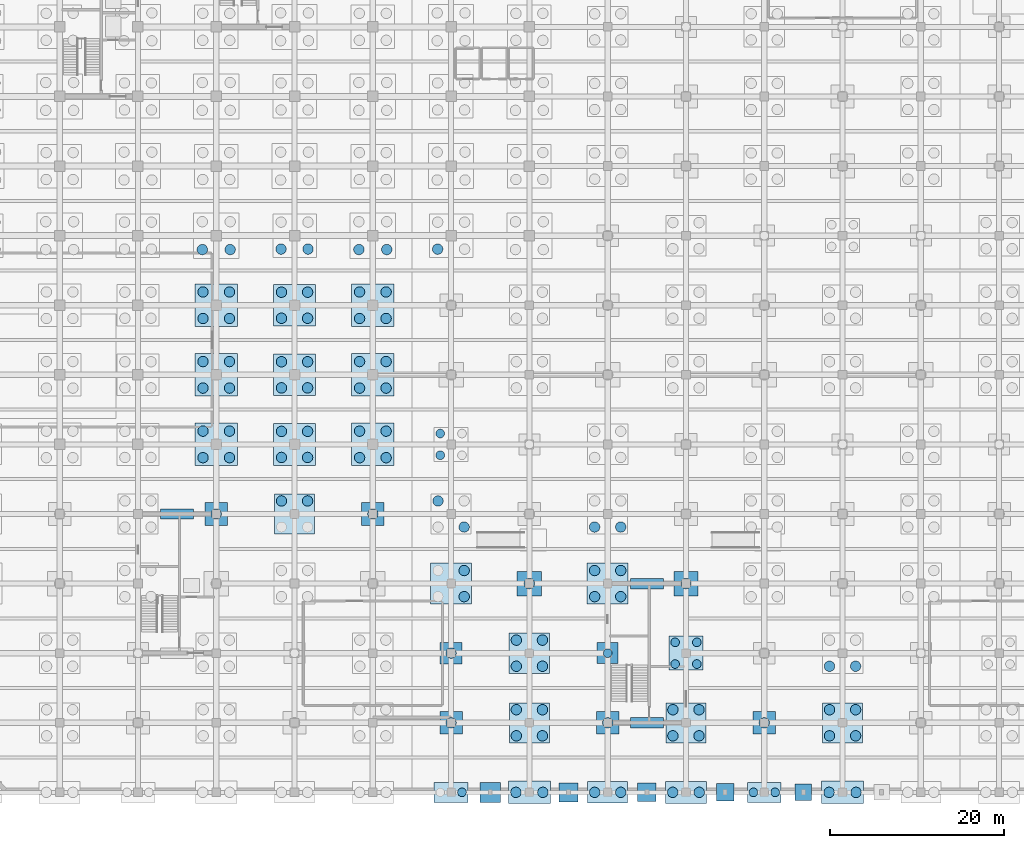
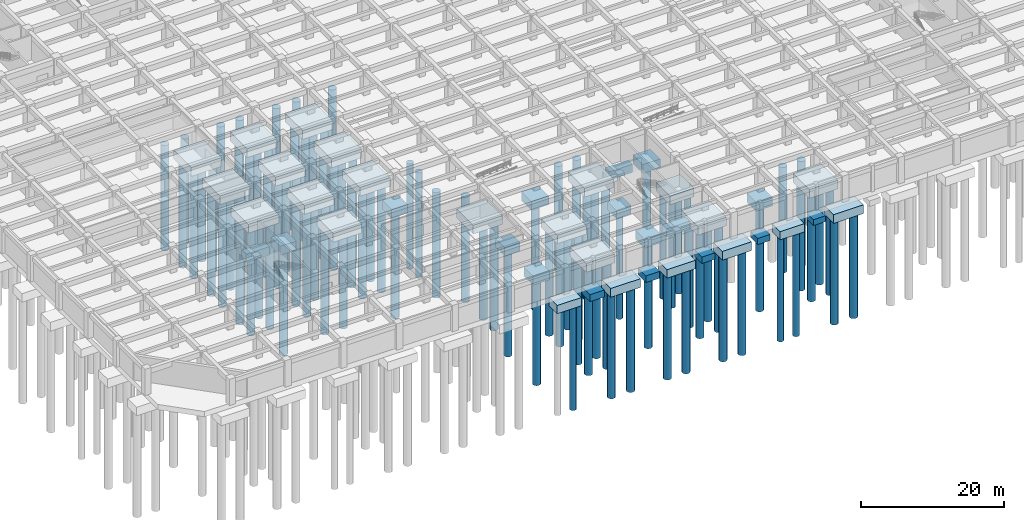
# One storey, part 2 of 31: 99 piles, 40 footings.
"""IFC4 building model written with IfcOpenShell, lengths in metres."""

from ifc_helpers import new_model, si_unit, direction, frame, origin, origin_2d, place, context, subcontext, project, spatial, polyline, rectangle, circle, outline, extrude, material, layer, layer_set, material_profile, profile_set, type_object, element, save


model = new_model("IFC4")

# Units and contexts
model_context = context("Model", 3, precision=1e-05, world=origin(), true_north=direction((0.0, 1.0)))
body_context = subcontext(model_context, "Body", "Model", "MODEL_VIEW")
ifc_project = project(units=[si_unit("LENGTHUNIT", "METRE"), si_unit("AREAUNIT", "SQUARE_METRE"), si_unit("VOLUMEUNIT", "CUBIC_METRE"), si_unit("PLANEANGLEUNIT", "RADIAN"), si_unit("MASSUNIT", "GRAM", prefix="KILO")], contexts=[model_context])

# Site, building, storey
site_placement = place(None, origin())
site = spatial("IfcSite", under=ifc_project, at=site_placement, CompositionType="ELEMENT")
building_placement = place(site_placement, origin())
building = spatial("IfcBuilding", under=site, at=building_placement, Name="Zaverband Oceanarium and Marine Research Institute", CompositionType="ELEMENT")
storey_placement = place(building_placement, frame((0.0, 0.0, -9.0)))
storey = spatial("IfcBuildingStorey", under=building, at=storey_placement, Name="B2", CompositionType="ELEMENT", Elevation=-9.0)

# Footings
ifc_material_1 = material(Name="Concrete C50/60", Category="concrete")
ifc_layer_1 = layer(ifc_material_1, 1.39990234375, Name="Concrete C50/60")
ifc_layer_set_1 = layer_set([ifc_layer_1], Name="Concrete C50/60")
footing_type_1 = type_object("IfcFootingType", Name="PC-2400x2400x1400", PredefinedType="PILE_CAP", material=ifc_layer_set_1)
footing_1_placement = place(storey_placement, frame((81.0, 16.0, -2.300048828125), z_axis=(0.0, 0.0, 1.0), x_axis=(1.0, 0.0, 0.0)))
element("IfcFooting", 1, at=footing_1_placement, inside=storey, type_object=footing_type_1, Name="Reinforced concrete pile cap PC-2400x2400x1400", PredefinedType="PILE_CAP", context=body_context, shape_type="SweptSolid", body=[
    extrude(rectangle(XDim=2.39990234375, YDim=2.39990234375, at=origin_2d()), origin(), (0.0, 0.0, 1.0), 1.39990234375),
])
ifc_layer_2 = layer(ifc_material_1, 1.449951171875, Name="Concrete C50/60")
ifc_layer_set_2 = layer_set([ifc_layer_2], Name="Concrete C50/60")
footing_type_2 = type_object("IfcFootingType", Name="PC-2500x2500x1450", PredefinedType="PILE_CAP", material=ifc_layer_set_2)
footing_2_placement = place(storey_placement, frame((63.0, 16.0, -2.35009765625), z_axis=(0.0, 0.0, 1.0), x_axis=(1.0, 0.0, 0.0)))
element("IfcFooting", 2, at=footing_2_placement, inside=storey, type_object=footing_type_2, Name="Reinforced concrete pile cap PC-2500x2500x1450", PredefinedType="PILE_CAP", context=body_context, shape_type="SweptSolid", body=[
    extrude(rectangle(XDim=2.5, YDim=2.5, at=origin_2d()), origin(), (0.0, 0.0, 1.0), 1.449951171875),
])
ifc_layer_3 = layer(ifc_material_1, 1.5, Name="Concrete C50/60")
ifc_layer_set_3 = layer_set([ifc_layer_3], Name="Concrete C50/60")
footing_type_3 = type_object("IfcFootingType", Name="PC-2600x2600x1500", PredefinedType="PILE_CAP", material=ifc_layer_set_3)
for number, where, z_axis, x_axis, name in (
    (3, (36.0, 32.0, -2.39990234375), (0.0, 0.0, 1.0), (1.0, 0.0, 0.0), "Reinforced concrete pile cap PC-2600x2600x1500"),
    (4, (54.0, 32.0, -2.39990234375), (0.0, 0.0, 1.0), (1.0, 0.0, 0.0), "Reinforced concrete pile cap PC-2600x2600x1500"),
    (5, (63.0, 8.0, -2.39990234375), (0.0, 0.0, 1.0), (1.0, 0.0, 0.0), "Reinforced concrete pile cap PC-2600x2600x1500"),
    (6, (81.0, 8.0, -2.39990234375), (0.0, 0.0, 1.0), (1.0, 0.0, 0.0), "Reinforced concrete pile cap PC-2600x2600x1500"),
    (7, (99.0, 8.0, -2.39990234375), (0.0, 0.0, 1.0), (1.0, 0.0, 0.0), "Reinforced concrete pile cap PC-2600x2600x1500"),
):
    element("IfcFooting", number, at=place(storey_placement, frame(where, z_axis=z_axis, x_axis=x_axis)), inside=storey, type_object=footing_type_3, Name=name, PredefinedType="PILE_CAP", context=body_context, shape_type="SweptSolid", body=[
        extrude(rectangle(XDim=2.60009765625, YDim=2.60009765625, at=origin_2d()), origin(), (0.0, 0.0, 1.0), 1.5),
    ])
ifc_layer_4 = layer(ifc_material_1, 1.5, Name="Concrete C50/60")
ifc_layer_set_4 = layer_set([ifc_layer_4], Name="Concrete C50/60")
footing_type_4 = type_object("IfcFootingType", Name="PC-2800x2800x1500", PredefinedType="PILE_CAP", material=ifc_layer_set_4)
for number, where, z_axis, x_axis, name in (
    (8, (72.0, 24.0, -2.39990234375), (0.0, 0.0, 1.0), (1.0, 0.0, 0.0), "Reinforced concrete pile cap PC-2800x2800x1500"),
    (9, (90.0, 24.0, -2.39990234375), (0.0, 0.0, 1.0), (1.0, 0.0, 0.0), "Reinforced concrete pile cap PC-2800x2800x1500"),
):
    element("IfcFooting", number, at=place(storey_placement, frame(where, z_axis=z_axis, x_axis=x_axis)), inside=storey, type_object=footing_type_4, Name=name, PredefinedType="PILE_CAP", context=body_context, shape_type="SweptSolid", body=[
        extrude(rectangle(XDim=2.800048828125, YDim=2.800048828125, at=origin_2d()), origin(), (0.0, 0.0, 1.0), 1.5),
    ])
ifc_layer_5 = layer(ifc_material_1, 1.39990234375, Name="Concrete C50/60")
ifc_layer_set_5 = layer_set([ifc_layer_5], Name="Concrete C50/60")
footing_type_5 = type_object("IfcFootingType", Name="PC-3900x2300x1400", PredefinedType="PILE_CAP", material=ifc_layer_set_5)
for number, where, z_axis, x_axis, name in (
    (10, (63.0, 0.0, -2.300048828125), (0.0, 0.0, 1.0), (1.0, 0.0, 0.0), "Reinforced concrete pile cap PC-3900x2300x1400"),
    (11, (99.0, 0.0, -2.300048828125), (0.0, 0.0, 1.0), (1.0, 0.0, 0.0), "Reinforced concrete pile cap PC-3900x2300x1400"),
):
    element("IfcFooting", number, at=place(storey_placement, frame(where, z_axis=z_axis, x_axis=x_axis)), inside=storey, type_object=footing_type_5, Name=name, PredefinedType="PILE_CAP", context=body_context, shape_type="SweptSolid", body=[
        extrude(rectangle(XDim=3.89990234375, YDim=2.300048828125, at=origin_2d()), origin(), (0.0, 0.0, 1.0), 1.39990234375),
    ])
ifc_layer_6 = layer(ifc_material_1, 1.449951171875, Name="Concrete C50/60")
ifc_layer_set_6 = layer_set([ifc_layer_6], Name="Concrete C50/60")
footing_type_6 = type_object("IfcFootingType", Name="PC-3900x3900x1450", PredefinedType="PILE_CAP", material=ifc_layer_set_6)
footing_3_placement = place(storey_placement, frame((90.0, 16.0, -2.35009765625), z_axis=(0.0, 0.0, 1.0), x_axis=(1.0, 0.0, 0.0)))
element("IfcFooting", 12, at=footing_3_placement, inside=storey, type_object=footing_type_6, Name="Reinforced concrete pile cap PC-3900x3900x1450", PredefinedType="PILE_CAP", context=body_context, shape_type="SweptSolid", body=[
    extrude(rectangle(XDim=3.89990234375, YDim=3.89990234375, at=origin_2d()), origin(), (0.0, 0.0, 1.0), 1.449951171875),
])
ifc_layer_7 = layer(ifc_material_1, 1.449951171875, Name="Concrete C50/60")
ifc_layer_set_7 = layer_set([ifc_layer_7], Name="Concrete C50/60")
footing_type_7 = type_object("IfcFootingType", Name="PC-4600x2500x1450", PredefinedType="PILE_CAP", material=ifc_layer_set_7)
footing_4_placement = place(storey_placement, frame((81.0, 0.0, -2.35009765625), z_axis=(0.0, 0.0, 1.0), x_axis=(1.0, 0.0, 0.0)))
element("IfcFooting", 13, at=footing_4_placement, inside=storey, type_object=footing_type_7, Name="Reinforced concrete pile cap PC-4600x2500x1450", PredefinedType="PILE_CAP", context=body_context, shape_type="SweptSolid", body=[
    extrude(rectangle(XDim=4.60009765625, YDim=2.5, at=origin_2d()), origin(), (0.0, 0.0, 1.0), 1.449951171875),
])
ifc_layer_8 = layer(ifc_material_1, 1.5, Name="Concrete C50/60")
ifc_layer_set_8 = layer_set([ifc_layer_8], Name="Concrete C50/60")
footing_type_8 = type_object("IfcFootingType", Name="PC-4600x4600x1500", PredefinedType="PILE_CAP", material=ifc_layer_set_8)
for number, where, z_axis, x_axis, name in (
    (14, (45.0, 32.0, -2.39990234375), (0.0, 0.0, 1.0), (1.0, 0.0, 0.0), "Reinforced concrete pile cap PC-4600x4600x1500"),
    (15, (72.0, 8.0, -2.39990234375), (0.0, 0.0, 1.0), (1.0, 0.0, 0.0), "Reinforced concrete pile cap PC-4600x4600x1500"),
    (16, (90.0, 8.0, -2.39990234375), (0.0, 0.0, 1.0), (1.0, 0.0, 0.0), "Reinforced concrete pile cap PC-4600x4600x1500"),
    (17, (108.0, 8.0, -2.39990234375), (0.0, 0.0, 1.0), (1.0, 0.0, 0.0), "Reinforced concrete pile cap PC-4600x4600x1500"),
):
    element("IfcFooting", number, at=place(storey_placement, frame(where, z_axis=z_axis, x_axis=x_axis)), inside=storey, type_object=footing_type_8, Name=name, PredefinedType="PILE_CAP", context=body_context, shape_type="SweptSolid", body=[
        extrude(rectangle(XDim=4.60009765625, YDim=4.60009765625, at=origin_2d()), origin(), (0.0, 0.0, 1.0), 1.5),
    ])
ifc_layer_9 = layer(ifc_material_1, 1.449951171875, Name="Concrete C50/60")
ifc_layer_set_9 = layer_set([ifc_layer_9], Name="Concrete C50/60")
footing_type_9 = type_object("IfcFootingType", Name="PC-4650x4650x1450", PredefinedType="PILE_CAP", material=ifc_layer_set_9)
footing_5_placement = place(storey_placement, frame((72.0, 16.0, -2.35009765625), z_axis=(0.0, 0.0, 1.0), x_axis=(1.0, 0.0, 0.0)))
element("IfcFooting", 18, at=footing_5_placement, inside=storey, type_object=footing_type_9, Name="Reinforced concrete pile cap PC-4650x4650x1450", PredefinedType="PILE_CAP", context=body_context, shape_type="SweptSolid", body=[
    extrude(rectangle(XDim=4.64990234375, YDim=4.64990234375, at=origin_2d()), origin(), (0.0, 0.0, 1.0), 1.449951171875),
])
ifc_layer_10 = layer(ifc_material_1, 1.5, Name="Concrete C50/60")
ifc_layer_set_10 = layer_set([ifc_layer_10], Name="Concrete C50/60")
footing_type_10 = type_object("IfcFootingType", Name="PC-4700x2550x1500", PredefinedType="PILE_CAP", material=ifc_layer_set_10)
footing_6_placement = place(storey_placement, frame((90.0, 0.0, -2.39990234375), z_axis=(0.0, 0.0, 1.0), x_axis=(1.0, 0.0, 0.0)))
element("IfcFooting", 19, at=footing_6_placement, inside=storey, type_object=footing_type_10, Name="Reinforced concrete pile cap PC-4700x2550x1500", PredefinedType="PILE_CAP", context=body_context, shape_type="SweptSolid", body=[
    extrude(rectangle(XDim=4.699951171875, YDim=2.550048828125, at=origin_2d()), origin(), (0.0, 0.0, 1.0), 1.5),
])
ifc_layer_11 = layer(ifc_material_1, 1.5, Name="Concrete C50/60")
ifc_layer_set_11 = layer_set([ifc_layer_11], Name="Concrete C50/60")
footing_type_11 = type_object("IfcFootingType", Name="PC-4700x4700x1500", PredefinedType="PILE_CAP", material=ifc_layer_set_11)
for number, where, z_axis, x_axis, name in (
    (20, (63.0, 24.0, -2.39990234375), (0.0, 0.0, 1.0), (1.0, 0.0, 0.0), "Reinforced concrete pile cap PC-4700x4700x1500"),
    (21, (81.0, 24.0, -2.39990234375), (0.0, 0.0, 1.0), (1.0, 0.0, 0.0), "Reinforced concrete pile cap PC-4700x4700x1500"),
):
    element("IfcFooting", number, at=place(storey_placement, frame(where, z_axis=z_axis, x_axis=x_axis)), inside=storey, type_object=footing_type_11, Name=name, PredefinedType="PILE_CAP", context=body_context, shape_type="SweptSolid", body=[
        extrude(rectangle(XDim=4.699951171875, YDim=4.699951171875, at=origin_2d()), origin(), (0.0, 0.0, 1.0), 1.5),
    ])
ifc_layer_12 = layer(ifc_material_1, 1.5, Name="Concrete C50/60")
ifc_layer_set_12 = layer_set([ifc_layer_12], Name="Concrete C50/60")
footing_type_12 = type_object("IfcFootingType", Name="PC-4800x2600x1500", PredefinedType="PILE_CAP", material=ifc_layer_set_12)
for number, where, z_axis, x_axis, name in (
    (22, (72.0, 0.0, -2.39990234375), (0.0, 0.0, 1.0), (1.0, 0.0, 0.0), "Reinforced concrete pile cap PC-4800x2600x1500"),
    (23, (108.0, 0.0, -2.39990234375), (0.0, 0.0, 1.0), (1.0, 0.0, 0.0), "Reinforced concrete pile cap PC-4800x2600x1500"),
):
    element("IfcFooting", number, at=place(storey_placement, frame(where, z_axis=z_axis, x_axis=x_axis)), inside=storey, type_object=footing_type_12, Name=name, PredefinedType="PILE_CAP", context=body_context, shape_type="SweptSolid", body=[
        extrude(rectangle(XDim=4.800048828125, YDim=2.60009765625, at=origin_2d()), origin(), (0.0, 0.0, 1.0), 1.5),
    ])
ifc_layer_13 = layer(ifc_material_1, 1.5, Name="Concrete C50/60")
ifc_layer_set_13 = layer_set([ifc_layer_13], Name="Concrete C50/60")
footing_type_13 = type_object("IfcFootingType", Name="PC-4800x4800x1500", PredefinedType="PILE_CAP", material=ifc_layer_set_13)
for number, where, z_axis, x_axis, name in (
    (24, (45.0, 40.0, -2.39990234375), (0.0, 0.0, 1.0), (1.0, 0.0, 0.0), "Reinforced concrete pile cap PC-4800x4800x1500"),
    (25, (45.0, 48.0, -2.39990234375), (0.0, 0.0, 1.0), (1.0, 0.0, 0.0), "Reinforced concrete pile cap PC-4800x4800x1500"),
    (26, (45.0, 56.0, -2.39990234375), (0.0, 0.0, 1.0), (1.0, 0.0, 0.0), "Reinforced concrete pile cap PC-4800x4800x1500"),
):
    element("IfcFooting", number, at=place(storey_placement, frame(where, z_axis=z_axis, x_axis=x_axis)), inside=storey, type_object=footing_type_13, Name=name, PredefinedType="PILE_CAP", context=body_context, shape_type="SweptSolid", body=[
        extrude(rectangle(XDim=4.800048828125, YDim=4.800048828125, at=origin_2d()), origin(), (0.0, 0.0, 1.0), 1.5),
    ])
ifc_layer_14 = layer(ifc_material_1, 1.5, Name="Concrete C50/60")
ifc_layer_set_14 = layer_set([ifc_layer_14], Name="Concrete C50/60")
footing_type_14 = type_object("IfcFootingType", Name="PC-4900x4900x1500", PredefinedType="PILE_CAP", material=ifc_layer_set_14)
for number, where, z_axis, x_axis, name in (
    (27, (36.0, 40.0, -2.39990234375), (0.0, 0.0, 1.0), (1.0, 0.0, 0.0), "Reinforced concrete pile cap PC-4900x4900x1500"),
    (28, (36.0, 48.0, -2.39990234375), (0.0, 0.0, 1.0), (1.0, 0.0, 0.0), "Reinforced concrete pile cap PC-4900x4900x1500"),
    (29, (36.0, 56.0, -2.39990234375), (0.0, 0.0, 1.0), (1.0, 0.0, 0.0), "Reinforced concrete pile cap PC-4900x4900x1500"),
    (30, (54.0, 40.0, -2.39990234375), (0.0, 0.0, 1.0), (1.0, 0.0, 0.0), "Reinforced concrete pile cap PC-4900x4900x1500"),
    (31, (54.0, 48.0, -2.39990234375), (0.0, 0.0, 1.0), (1.0, 0.0, 0.0), "Reinforced concrete pile cap PC-4900x4900x1500"),
    (32, (54.0, 56.0, -2.39990234375), (0.0, 0.0, 1.0), (1.0, 0.0, 0.0), "Reinforced concrete pile cap PC-4900x4900x1500"),
):
    element("IfcFooting", number, at=place(storey_placement, frame(where, z_axis=z_axis, x_axis=x_axis)), inside=storey, type_object=footing_type_14, Name=name, PredefinedType="PILE_CAP", context=body_context, shape_type="SweptSolid", body=[
        extrude(rectangle(XDim=4.89990234375, YDim=4.89990234375, at=origin_2d()), origin(), (0.0, 0.0, 1.0), 1.5),
    ])
ifc_material_2 = material(Name="Concrete C40/50", Category="concrete")
ifc_layer_15 = layer(ifc_material_2, 1.0, Name="Concrete C40/50")
ifc_layer_set_15 = layer_set([ifc_layer_15], Name="Concrete C40/50")
footing_type_15 = type_object("IfcFootingType", Name="PF-1900x1900x1000", PredefinedType="PAD_FOOTING", material=ifc_layer_set_15)
footing_7_placement = place(storey_placement, frame((103.5, 0.0, -1.89990234375), z_axis=(0.0, 0.0, 1.0), x_axis=(1.0, 0.0, 0.0)))
element("IfcFooting", 33, at=footing_7_placement, inside=storey, type_object=footing_type_15, Name="Isolated pad footing PF-1900x1900x1000", PredefinedType="PAD_FOOTING", context=body_context, shape_type="SweptSolid", body=[
    extrude(rectangle(XDim=1.89990234375, YDim=1.89990234375, at=origin_2d()), origin(), (0.0, 0.0, 1.0), 1.0),
])
ifc_layer_16 = layer(ifc_material_2, 1.050048828125, Name="Concrete C40/50")
ifc_layer_set_16 = layer_set([ifc_layer_16], Name="Concrete C40/50")
footing_type_16 = type_object("IfcFootingType", Name="PF-2000x2000x1050", PredefinedType="PAD_FOOTING", material=ifc_layer_set_16)
footing_8_placement = place(storey_placement, frame((94.5, 0.0, -1.9501953125), z_axis=(0.0, 0.0, 1.0), x_axis=(1.0, 0.0, 0.0)))
element("IfcFooting", 34, at=footing_8_placement, inside=storey, type_object=footing_type_16, Name="Isolated pad footing PF-2000x2000x1050", PredefinedType="PAD_FOOTING", context=body_context, shape_type="SweptSolid", body=[
    extrude(rectangle(XDim=2.0, YDim=2.0, at=origin_2d()), origin(), (0.0, 0.0, 1.0), 1.050048828125),
])
ifc_layer_17 = layer(ifc_material_2, 1.10009765625, Name="Concrete C40/50")
ifc_layer_set_17 = layer_set([ifc_layer_17], Name="Concrete C40/50")
footing_type_17 = type_object("IfcFootingType", Name="PF-2100x2100x1100", PredefinedType="PAD_FOOTING", material=ifc_layer_set_17)
footing_9_placement = place(storey_placement, frame((85.5, 0.0, -2.0), z_axis=(0.0, 0.0, 1.0), x_axis=(1.0, 0.0, 0.0)))
element("IfcFooting", 35, at=footing_9_placement, inside=storey, type_object=footing_type_17, Name="Isolated pad footing PF-2100x2100x1100", PredefinedType="PAD_FOOTING", context=body_context, shape_type="SweptSolid", body=[
    extrude(rectangle(XDim=2.10009765625, YDim=2.10009765625, at=origin_2d()), origin(), (0.0, 0.0, 1.0), 1.10009765625),
])
ifc_layer_18 = layer(ifc_material_2, 1.14990234375, Name="Concrete C40/50")
ifc_layer_set_18 = layer_set([ifc_layer_18], Name="Concrete C40/50")
footing_type_18 = type_object("IfcFootingType", Name="PF-2200x2200x1150", PredefinedType="PAD_FOOTING", material=ifc_layer_set_18)
footing_10_placement = place(storey_placement, frame((76.5, 0.0, -2.050048828125), z_axis=(0.0, 0.0, 1.0), x_axis=(1.0, 0.0, 0.0)))
element("IfcFooting", 36, at=footing_10_placement, inside=storey, type_object=footing_type_18, Name="Isolated pad footing PF-2200x2200x1150", PredefinedType="PAD_FOOTING", context=body_context, shape_type="SweptSolid", body=[
    extrude(rectangle(XDim=2.199951171875, YDim=2.199951171875, at=origin_2d()), origin(), (0.0, 0.0, 1.0), 1.14990234375),
])
ifc_layer_19 = layer(ifc_material_2, 1.199951171875, Name="Concrete C40/50")
ifc_layer_set_19 = layer_set([ifc_layer_19], Name="Concrete C40/50")
footing_type_19 = type_object("IfcFootingType", Name="PF-2300x2300x1200", PredefinedType="PAD_FOOTING", material=ifc_layer_set_19)
footing_11_placement = place(storey_placement, frame((67.5, 0.0, -2.10009765625), z_axis=(0.0, 0.0, 1.0), x_axis=(1.0, 0.0, 0.0)))
element("IfcFooting", 37, at=footing_11_placement, inside=storey, type_object=footing_type_19, Name="Isolated pad footing PF-2300x2300x1200", PredefinedType="PAD_FOOTING", context=body_context, shape_type="SweptSolid", body=[
    extrude(rectangle(XDim=2.300048828125, YDim=2.300048828125, at=origin_2d()), origin(), (0.0, 0.0, 1.0), 1.199951171875),
])

# Piles
ifc_material_profile_1 = material_profile(ifc_material_1, circle(Radius=0.5, at=origin_2d()), Name="BP1000")
ifc_profile_set_1 = profile_set([ifc_material_profile_1], Name="Concrete C50/60")
pile_type_1 = type_object("IfcPileType", Name="PL-BP1000", PredefinedType="BORED", material=ifc_profile_set_1)
for number, where, z_axis, x_axis, name in (
    (38, (64.25, 0.0, -2.300048828125), (0.0, 0.0, -1.0), (1.0, 0.0, 0.0), "Rotary bored cast-in-place pile PL-BP1000"),
    (39, (61.75, 38.75, -2.35009765625), (0.0, 0.0, -1.0), (1.0, 0.0, 0.0), "Rotary bored cast-in-place pile PL-BP1000"),
    (40, (61.75, 41.25, -2.35009765625), (0.0, 0.0, -1.0), (1.0, 0.0, 0.0), "Rotary bored cast-in-place pile PL-BP1000"),
    (41, (81.0, 16.0, -2.300048828125), (0.0, 0.0, -1.0), (1.0, 0.0, 0.0), "Rotary bored cast-in-place pile PL-BP1000"),
    (42, (88.75, 14.75, -2.35009765625), (0.0, 0.0, -1.0), (1.0, 0.0, 0.0), "Rotary bored cast-in-place pile PL-BP1000"),
    (43, (91.25, 14.75, -2.35009765625), (0.0, 0.0, -1.0), (1.0, 0.0, 0.0), "Rotary bored cast-in-place pile PL-BP1000"),
    (44, (88.75, 17.25, -2.35009765625), (0.0, 0.0, -1.0), (1.0, 0.0, 0.0), "Rotary bored cast-in-place pile PL-BP1000"),
    (45, (91.25, 17.25, -2.35009765625), (0.0, 0.0, -1.0), (1.0, 0.0, 0.0), "Rotary bored cast-in-place pile PL-BP1000"),
    (46, (97.75, 0.0, -2.300048828125), (0.0, 0.0, -1.0), (1.0, 0.0, 0.0), "Rotary bored cast-in-place pile PL-BP1000"),
    (47, (100.25, 0.0, -2.300048828125), (0.0, 0.0, -1.0), (1.0, 0.0, 0.0), "Rotary bored cast-in-place pile PL-BP1000"),
):
    element("IfcPile", number, at=place(storey_placement, frame(where, z_axis=z_axis, x_axis=x_axis)), inside=storey, type_object=pile_type_1, Name=name, PredefinedType="BORED", context=body_context, shape_type="SweptSolid", body=[
        extrude(circle(Radius=0.5, at=origin_2d()), origin(), (0.0, 0.0, 1.0), 18.0),
    ])
ifc_material_profile_2 = material_profile(ifc_material_1, circle(Radius=0.60009765625, at=origin_2d()), Name="BP1200")
ifc_profile_set_2 = profile_set([ifc_material_profile_2], Name="Concrete C50/60")
pile_type_2 = type_object("IfcPileType", Name="PL-BP1200", PredefinedType="BORED", material=ifc_profile_set_2)
for number, where, z_axis, x_axis, name in (
    (48, (36.0, 32.0, -2.39990234375), (0.0, 0.0, -1.0), (1.0, 0.0, 0.0), "Rotary bored cast-in-place pile PL-BP1200"),
    (49, (34.47509765625, 38.47509765625, -2.39990234375), (0.0, 0.0, -1.0), (1.0, 0.0, 0.0), "Rotary bored cast-in-place pile PL-BP1200"),
    (50, (37.52490234375, 38.47509765625, -2.39990234375), (0.0, 0.0, -1.0), (1.0, 0.0, 0.0), "Rotary bored cast-in-place pile PL-BP1200"),
    (51, (34.47509765625, 41.52490234375, -2.39990234375), (0.0, 0.0, -1.0), (1.0, 0.0, 0.0), "Rotary bored cast-in-place pile PL-BP1200"),
    (52, (37.52490234375, 41.52490234375, -2.39990234375), (0.0, 0.0, -1.0), (1.0, 0.0, 0.0), "Rotary bored cast-in-place pile PL-BP1200"),
    (53, (34.47509765625, 46.47509765625, -2.39990234375), (0.0, 0.0, -1.0), (1.0, 0.0, 0.0), "Rotary bored cast-in-place pile PL-BP1200"),
    (54, (37.52490234375, 46.47509765625, -2.39990234375), (0.0, 0.0, -1.0), (1.0, 0.0, 0.0), "Rotary bored cast-in-place pile PL-BP1200"),
    (55, (34.47509765625, 49.52490234375, -2.39990234375), (0.0, 0.0, -1.0), (1.0, 0.0, 0.0), "Rotary bored cast-in-place pile PL-BP1200"),
    (56, (37.52490234375, 49.52490234375, -2.39990234375), (0.0, 0.0, -1.0), (1.0, 0.0, 0.0), "Rotary bored cast-in-place pile PL-BP1200"),
    (57, (34.47509765625, 54.47509765625, -2.39990234375), (0.0, 0.0, -1.0), (1.0, 0.0, 0.0), "Rotary bored cast-in-place pile PL-BP1200"),
    (58, (37.52490234375, 54.47509765625, -2.39990234375), (0.0, 0.0, -1.0), (1.0, 0.0, 0.0), "Rotary bored cast-in-place pile PL-BP1200"),
    (59, (34.47509765625, 57.52490234375, -2.39990234375), (0.0, 0.0, -1.0), (1.0, 0.0, 0.0), "Rotary bored cast-in-place pile PL-BP1200"),
    (60, (37.52490234375, 57.52490234375, -2.39990234375), (0.0, 0.0, -1.0), (1.0, 0.0, 0.0), "Rotary bored cast-in-place pile PL-BP1200"),
    (61, (34.39990234375, 62.39990234375, -2.39990234375), (0.0, 0.0, -1.0), (1.0, 0.0, 0.0), "Rotary bored cast-in-place pile PL-BP1200"),
    (62, (37.60009765625, 62.39990234375, -2.39990234375), (0.0, 0.0, -1.0), (1.0, 0.0, 0.0), "Rotary bored cast-in-place pile PL-BP1200"),
    (63, (43.5, 33.5, -2.39990234375), (0.0, 0.0, -1.0), (1.0, 0.0, 0.0), "Rotary bored cast-in-place pile PL-BP1200"),
    (64, (46.5, 33.5, -2.39990234375), (0.0, 0.0, -1.0), (1.0, 0.0, 0.0), "Rotary bored cast-in-place pile PL-BP1200"),
    (65, (43.5, 38.5, -2.39990234375), (0.0, 0.0, -1.0), (1.0, 0.0, 0.0), "Rotary bored cast-in-place pile PL-BP1200"),
    (66, (46.5, 38.5, -2.39990234375), (0.0, 0.0, -1.0), (1.0, 0.0, 0.0), "Rotary bored cast-in-place pile PL-BP1200"),
    (67, (43.5, 41.5, -2.39990234375), (0.0, 0.0, -1.0), (1.0, 0.0, 0.0), "Rotary bored cast-in-place pile PL-BP1200"),
    (68, (46.5, 41.5, -2.39990234375), (0.0, 0.0, -1.0), (1.0, 0.0, 0.0), "Rotary bored cast-in-place pile PL-BP1200"),
    (69, (43.5, 46.5, -2.39990234375), (0.0, 0.0, -1.0), (1.0, 0.0, 0.0), "Rotary bored cast-in-place pile PL-BP1200"),
    (70, (46.5, 46.5, -2.39990234375), (0.0, 0.0, -1.0), (1.0, 0.0, 0.0), "Rotary bored cast-in-place pile PL-BP1200"),
    (71, (43.5, 49.5, -2.39990234375), (0.0, 0.0, -1.0), (1.0, 0.0, 0.0), "Rotary bored cast-in-place pile PL-BP1200"),
    (72, (46.5, 49.5, -2.39990234375), (0.0, 0.0, -1.0), (1.0, 0.0, 0.0), "Rotary bored cast-in-place pile PL-BP1200"),
    (73, (43.5, 54.5, -2.39990234375), (0.0, 0.0, -1.0), (1.0, 0.0, 0.0), "Rotary bored cast-in-place pile PL-BP1200"),
    (74, (46.5, 54.5, -2.39990234375), (0.0, 0.0, -1.0), (1.0, 0.0, 0.0), "Rotary bored cast-in-place pile PL-BP1200"),
    (75, (43.5, 57.5, -2.39990234375), (0.0, 0.0, -1.0), (1.0, 0.0, 0.0), "Rotary bored cast-in-place pile PL-BP1200"),
    (76, (46.5, 57.5, -2.39990234375), (0.0, 0.0, -1.0), (1.0, 0.0, 0.0), "Rotary bored cast-in-place pile PL-BP1200"),
    (77, (43.449951171875, 62.449951171875, -2.39990234375), (0.0, 0.0, -1.0), (1.0, 0.0, 0.0), "Rotary bored cast-in-place pile PL-BP1200"),
    (78, (46.550048828125, 62.449951171875, -2.39990234375), (0.0, 0.0, -1.0), (1.0, 0.0, 0.0), "Rotary bored cast-in-place pile PL-BP1200"),
    (79, (54.0, 32.0, -2.39990234375), (0.0, 0.0, -1.0), (1.0, 0.0, 0.0), "Rotary bored cast-in-place pile PL-BP1200"),
    (80, (52.47509765625, 38.47509765625, -2.39990234375), (0.0, 0.0, -1.0), (1.0, 0.0, 0.0), "Rotary bored cast-in-place pile PL-BP1200"),
    (81, (55.52490234375, 38.47509765625, -2.39990234375), (0.0, 0.0, -1.0), (1.0, 0.0, 0.0), "Rotary bored cast-in-place pile PL-BP1200"),
    (82, (52.47509765625, 41.52490234375, -2.39990234375), (0.0, 0.0, -1.0), (1.0, 0.0, 0.0), "Rotary bored cast-in-place pile PL-BP1200"),
    (83, (55.52490234375, 41.52490234375, -2.39990234375), (0.0, 0.0, -1.0), (1.0, 0.0, 0.0), "Rotary bored cast-in-place pile PL-BP1200"),
    (84, (52.47509765625, 46.47509765625, -2.39990234375), (0.0, 0.0, -1.0), (1.0, 0.0, 0.0), "Rotary bored cast-in-place pile PL-BP1200"),
    (85, (55.52490234375, 46.47509765625, -2.39990234375), (0.0, 0.0, -1.0), (1.0, 0.0, 0.0), "Rotary bored cast-in-place pile PL-BP1200"),
    (86, (52.47509765625, 49.52490234375, -2.39990234375), (0.0, 0.0, -1.0), (1.0, 0.0, 0.0), "Rotary bored cast-in-place pile PL-BP1200"),
    (87, (55.52490234375, 49.52490234375, -2.39990234375), (0.0, 0.0, -1.0), (1.0, 0.0, 0.0), "Rotary bored cast-in-place pile PL-BP1200"),
    (88, (52.47509765625, 54.47509765625, -2.39990234375), (0.0, 0.0, -1.0), (1.0, 0.0, 0.0), "Rotary bored cast-in-place pile PL-BP1200"),
    (89, (55.52490234375, 54.47509765625, -2.39990234375), (0.0, 0.0, -1.0), (1.0, 0.0, 0.0), "Rotary bored cast-in-place pile PL-BP1200"),
    (90, (52.47509765625, 57.52490234375, -2.39990234375), (0.0, 0.0, -1.0), (1.0, 0.0, 0.0), "Rotary bored cast-in-place pile PL-BP1200"),
    (91, (55.52490234375, 57.52490234375, -2.39990234375), (0.0, 0.0, -1.0), (1.0, 0.0, 0.0), "Rotary bored cast-in-place pile PL-BP1200"),
    (92, (52.39990234375, 62.39990234375, -2.39990234375), (0.0, 0.0, -1.0), (1.0, 0.0, 0.0), "Rotary bored cast-in-place pile PL-BP1200"),
    (93, (55.60009765625, 62.39990234375, -2.39990234375), (0.0, 0.0, -1.0), (1.0, 0.0, 0.0), "Rotary bored cast-in-place pile PL-BP1200"),
    (94, (63.0, 8.0, -2.39990234375), (0.0, 0.0, -1.0), (1.0, 0.0, 0.0), "Rotary bored cast-in-place pile PL-BP1200"),
    (95, (63.0, 16.0, -2.35009765625), (0.0, 0.0, -1.0), (1.0, 0.0, 0.0), "Rotary bored cast-in-place pile PL-BP1200"),
    (96, (64.5, 22.5, -2.39990234375), (0.0, 0.0, -1.0), (1.0, 0.0, 0.0), "Rotary bored cast-in-place pile PL-BP1200"),
    (97, (64.5, 25.5, -2.39990234375), (0.0, 0.0, -1.0), (1.0, 0.0, 0.0), "Rotary bored cast-in-place pile PL-BP1200"),
    (98, (64.5, 30.5, -2.39990234375), (0.0, 0.0, -1.0), (1.0, 0.0, 0.0), "Rotary bored cast-in-place pile PL-BP1200"),
    (99, (61.5, 33.5, -2.39990234375), (0.0, 0.0, -1.0), (1.0, 0.0, 0.0), "Rotary bored cast-in-place pile PL-BP1200"),
    (100, (61.449951171875, 62.449951171875, -2.39990234375), (0.0, 0.0, -1.0), (1.0, 0.0, 0.0), "Rotary bored cast-in-place pile PL-BP1200"),
    (101, (70.449951171875, 0.0, -2.39990234375), (0.0, 0.0, -1.0), (1.0, 0.0, 0.0), "Rotary bored cast-in-place pile PL-BP1200"),
    (102, (73.550048828125, 0.0, -2.39990234375), (0.0, 0.0, -1.0), (1.0, 0.0, 0.0), "Rotary bored cast-in-place pile PL-BP1200"),
    (103, (70.5, 6.5, -2.39990234375), (0.0, 0.0, -1.0), (1.0, 0.0, 0.0), "Rotary bored cast-in-place pile PL-BP1200"),
    (104, (73.5, 6.5, -2.39990234375), (0.0, 0.0, -1.0), (1.0, 0.0, 0.0), "Rotary bored cast-in-place pile PL-BP1200"),
    (105, (70.5, 9.5, -2.39990234375), (0.0, 0.0, -1.0), (1.0, 0.0, 0.0), "Rotary bored cast-in-place pile PL-BP1200"),
    (106, (73.5, 9.5, -2.39990234375), (0.0, 0.0, -1.0), (1.0, 0.0, 0.0), "Rotary bored cast-in-place pile PL-BP1200"),
    (107, (70.5, 14.5, -2.35009765625), (0.0, 0.0, -1.0), (1.0, 0.0, 0.0), "Rotary bored cast-in-place pile PL-BP1200"),
    (108, (73.5, 14.5, -2.35009765625), (0.0, 0.0, -1.0), (1.0, 0.0, 0.0), "Rotary bored cast-in-place pile PL-BP1200"),
    (109, (70.5, 17.5, -2.35009765625), (0.0, 0.0, -1.0), (1.0, 0.0, 0.0), "Rotary bored cast-in-place pile PL-BP1200"),
    (110, (73.5, 17.5, -2.35009765625), (0.0, 0.0, -1.0), (1.0, 0.0, 0.0), "Rotary bored cast-in-place pile PL-BP1200"),
    (111, (72.0, 24.0, -2.39990234375), (0.0, 0.0, -1.0), (1.0, 0.0, 0.0), "Rotary bored cast-in-place pile PL-BP1200"),
    (112, (79.5, 0.0, -2.35009765625), (0.0, 0.0, -1.0), (1.0, 0.0, 0.0), "Rotary bored cast-in-place pile PL-BP1200"),
    (113, (82.5, 0.0, -2.35009765625), (0.0, 0.0, -1.0), (1.0, 0.0, 0.0), "Rotary bored cast-in-place pile PL-BP1200"),
    (114, (81.0, 8.0, -2.39990234375), (0.0, 0.0, -1.0), (1.0, 0.0, 0.0), "Rotary bored cast-in-place pile PL-BP1200"),
    (115, (79.5, 22.5, -2.39990234375), (0.0, 0.0, -1.0), (1.0, 0.0, 0.0), "Rotary bored cast-in-place pile PL-BP1200"),
    (116, (82.5, 22.5, -2.39990234375), (0.0, 0.0, -1.0), (1.0, 0.0, 0.0), "Rotary bored cast-in-place pile PL-BP1200"),
    (117, (79.5, 25.5, -2.39990234375), (0.0, 0.0, -1.0), (1.0, 0.0, 0.0), "Rotary bored cast-in-place pile PL-BP1200"),
    (118, (82.5, 25.5, -2.39990234375), (0.0, 0.0, -1.0), (1.0, 0.0, 0.0), "Rotary bored cast-in-place pile PL-BP1200"),
    (119, (79.5, 30.5, -2.39990234375), (0.0, 0.0, -1.0), (1.0, 0.0, 0.0), "Rotary bored cast-in-place pile PL-BP1200"),
    (120, (82.5, 30.5, -2.39990234375), (0.0, 0.0, -1.0), (1.0, 0.0, 0.0), "Rotary bored cast-in-place pile PL-BP1200"),
    (121, (88.47509765625, 0.0, -2.39990234375), (0.0, 0.0, -1.0), (1.0, 0.0, 0.0), "Rotary bored cast-in-place pile PL-BP1200"),
    (122, (91.52490234375, 0.0, -2.39990234375), (0.0, 0.0, -1.0), (1.0, 0.0, 0.0), "Rotary bored cast-in-place pile PL-BP1200"),
    (123, (88.5, 6.5, -2.39990234375), (0.0, 0.0, -1.0), (1.0, 0.0, 0.0), "Rotary bored cast-in-place pile PL-BP1200"),
    (124, (91.5, 6.5, -2.39990234375), (0.0, 0.0, -1.0), (1.0, 0.0, 0.0), "Rotary bored cast-in-place pile PL-BP1200"),
    (125, (88.5, 9.5, -2.39990234375), (0.0, 0.0, -1.0), (1.0, 0.0, 0.0), "Rotary bored cast-in-place pile PL-BP1200"),
    (126, (91.5, 9.5, -2.39990234375), (0.0, 0.0, -1.0), (1.0, 0.0, 0.0), "Rotary bored cast-in-place pile PL-BP1200"),
    (127, (90.0, 24.0, -2.39990234375), (0.0, 0.0, -1.0), (1.0, 0.0, 0.0), "Rotary bored cast-in-place pile PL-BP1200"),
    (128, (99.0, 8.0, -2.39990234375), (0.0, 0.0, -1.0), (1.0, 0.0, 0.0), "Rotary bored cast-in-place pile PL-BP1200"),
    (129, (106.449951171875, 0.0, -2.39990234375), (0.0, 0.0, -1.0), (1.0, 0.0, 0.0), "Rotary bored cast-in-place pile PL-BP1200"),
    (130, (109.550048828125, 0.0, -2.39990234375), (0.0, 0.0, -1.0), (1.0, 0.0, 0.0), "Rotary bored cast-in-place pile PL-BP1200"),
    (131, (106.5, 6.5, -2.39990234375), (0.0, 0.0, -1.0), (1.0, 0.0, 0.0), "Rotary bored cast-in-place pile PL-BP1200"),
    (132, (109.5, 6.5, -2.39990234375), (0.0, 0.0, -1.0), (1.0, 0.0, 0.0), "Rotary bored cast-in-place pile PL-BP1200"),
    (133, (106.5, 9.5, -2.39990234375), (0.0, 0.0, -1.0), (1.0, 0.0, 0.0), "Rotary bored cast-in-place pile PL-BP1200"),
    (134, (109.5, 9.5, -2.39990234375), (0.0, 0.0, -1.0), (1.0, 0.0, 0.0), "Rotary bored cast-in-place pile PL-BP1200"),
    (135, (106.5, 14.5, -2.35009765625), (0.0, 0.0, -1.0), (1.0, 0.0, 0.0), "Rotary bored cast-in-place pile PL-BP1200"),
    (136, (109.5, 14.5, -2.35009765625), (0.0, 0.0, -1.0), (1.0, 0.0, 0.0), "Rotary bored cast-in-place pile PL-BP1200"),
):
    element("IfcPile", number, at=place(storey_placement, frame(where, z_axis=z_axis, x_axis=x_axis)), inside=storey, type_object=pile_type_2, Name=name, PredefinedType="BORED", context=body_context, shape_type="SweptSolid", body=[
        extrude(circle(Radius=0.60009765625, at=origin_2d()), origin(), (0.0, 0.0, 1.0), 18.0),
    ])

# Footings
ifc_layer_20 = layer(ifc_material_1, 1.39990234375, Name="Concrete C50/60")
ifc_layer_set_20 = layer_set([ifc_layer_20], Name="Concrete C50/60")
footing_type_20 = type_object("IfcFootingType", Name="SF-1200x1400", PredefinedType="STRIP_FOOTING", material=ifc_layer_set_20)
footing_12_placement = place(storey_placement, frame((0.0, 0.0, -2.300048828125)))
element("IfcFooting", 137, at=footing_12_placement, inside=storey, type_object=footing_type_20, Name="Continuous strip / tie footing SF-1200x1400", PredefinedType="STRIP_FOOTING", context=body_context, shape_type="SweptSolid", body=[
    extrude(outline(polyline([(29.60009765625, 32.60009765625), (33.39990234375, 32.60009765625), (33.39990234375, 31.39990234375), (29.60009765625, 31.39990234375), (29.60009765625, 32.60009765625)])), origin(), (0.0, 0.0, 1.0), 1.400146484375),
])
footing_13_placement = place(storey_placement, frame((0.0, 0.0, -2.300048828125)))
element("IfcFooting", 138, at=footing_13_placement, inside=storey, type_object=footing_type_20, Name="Continuous strip / tie footing SF-1200x1400", PredefinedType="STRIP_FOOTING", context=body_context, shape_type="SweptSolid", body=[
    extrude(outline(polyline([(83.60009765625, 8.60009765625), (87.39990234375, 8.60009765625), (87.39990234375, 7.39990234375), (83.60009765625, 7.39990234375), (83.60009765625, 8.60009765625)])), origin(), (0.0, 0.0, 1.0), 1.400146484375),
])
footing_14_placement = place(storey_placement, frame((0.0, 0.0, -2.300048828125)))
element("IfcFooting", 139, at=footing_14_placement, inside=storey, type_object=footing_type_20, Name="Continuous strip / tie footing SF-1200x1400", PredefinedType="STRIP_FOOTING", context=body_context, shape_type="SweptSolid", body=[
    extrude(outline(polyline([(83.60009765625, 24.60009765625), (87.39990234375, 24.60009765625), (87.39990234375, 23.39990234375), (83.60009765625, 23.39990234375), (83.60009765625, 24.60009765625)])), origin(), (0.0, 0.0, 1.0), 1.400146484375),
])

save(model, "model.ifc")
